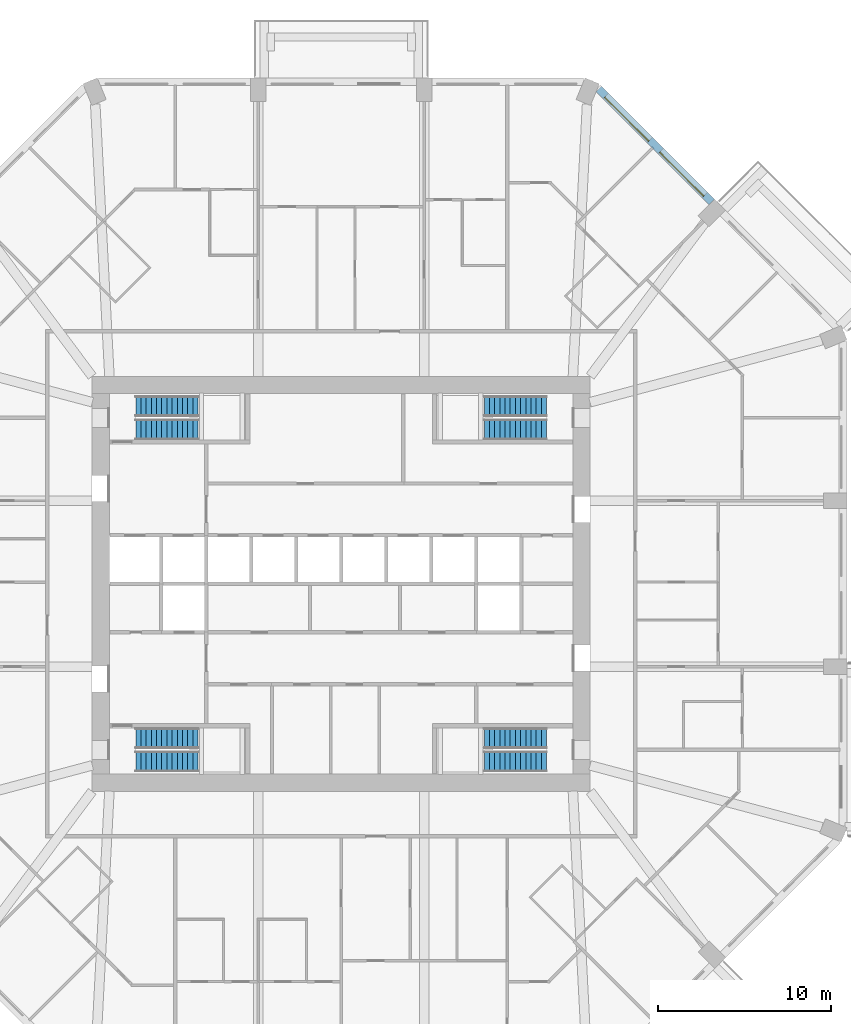
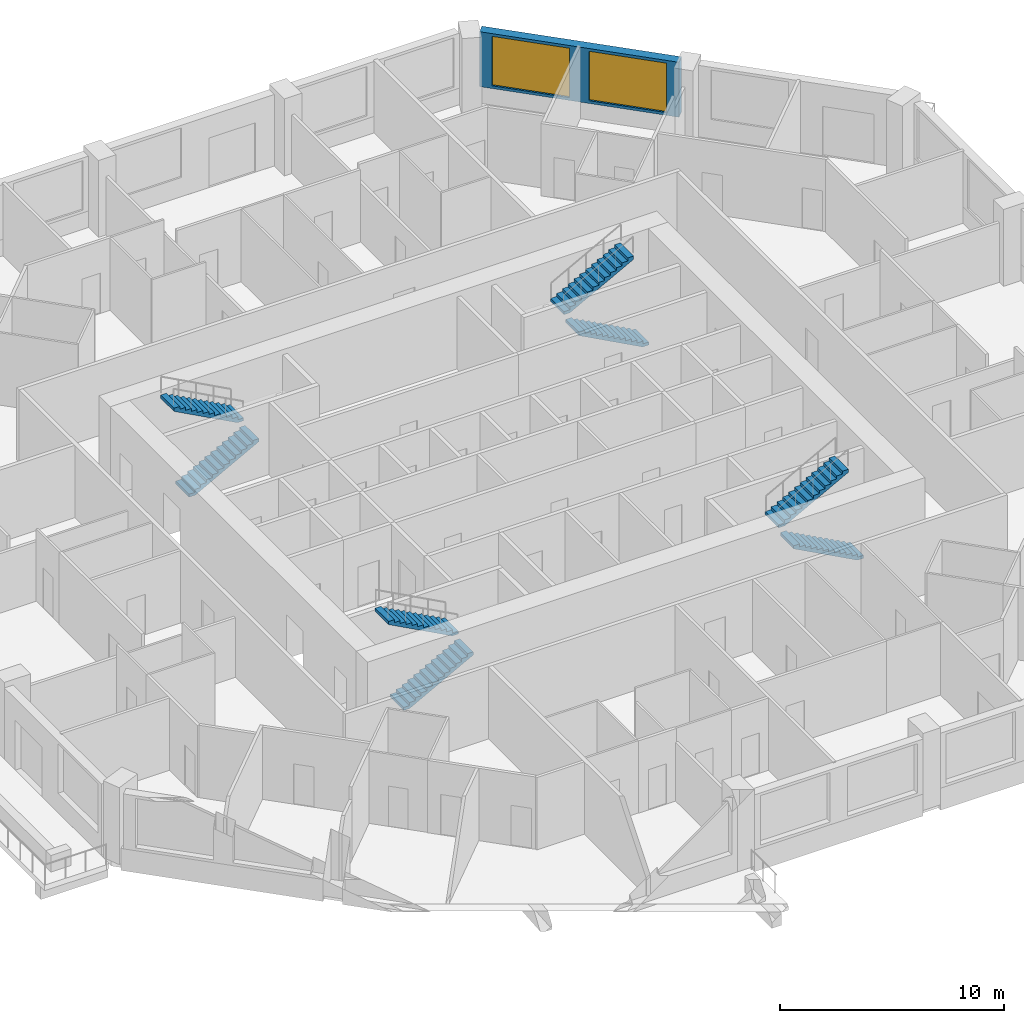
# One storey, part 11 of 13: 8 stair flights, 2 windows, 1 wall, 2 openings, 4 elements without a shape of their own.
"""IFC4 building model written with IfcOpenShell, lengths in metres."""

from ifc_helpers import new_model, si_unit, direction, frame, frame_2d, origin, place, context, subcontext, project, spatial, polyline, rectangle, outline, extrude, material, layer, layer_set, type_object, element, fill, aggregate, save


model = new_model("IFC4")

# Units and contexts
model_context = context("Model", 3, precision=1e-05, world=origin(), true_north=direction((0.0, 1.0)))
body_context = subcontext(model_context, "Body", "Model", "MODEL_VIEW")
ifc_project = project(units=[si_unit("LENGTHUNIT", "METRE"), si_unit("AREAUNIT", "SQUARE_METRE"), si_unit("VOLUMEUNIT", "CUBIC_METRE"), si_unit("PLANEANGLEUNIT", "RADIAN"), si_unit("MASSUNIT", "GRAM", prefix="KILO")], contexts=[model_context])

# Site, building, storey
site_placement = place(None, origin())
site = spatial("IfcSite", under=ifc_project, at=site_placement, CompositionType="ELEMENT")
building_placement = place(site_placement, origin())
building = spatial("IfcBuilding", under=site, at=building_placement, Name="Msitu Wima Residences", CompositionType="ELEMENT")
storey_placement = place(building_placement, frame((0.0, 0.0, 50.699951171875)))
storey = spatial("IfcBuildingStorey", under=building, at=storey_placement, Name="L11", CompositionType="ELEMENT", Elevation=50.699951171875)

# Wall, openings, windows
ifc_material_1 = material(Name="Brick (red buff mix)", Category="masonry")
ifc_layer = layer(ifc_material_1, 0.449951171875)
ifc_layer_set = layer_set([ifc_layer], Name="Brick (red buff mix)")
wall_type = type_object("IfcWallType", Name="Brick infill wall BW450", PredefinedType="SOLIDWALL", material=ifc_layer_set)
wall_placement = place(storey_placement, frame((21.44091796875, 22.077392578125, 0.900146484375), z_axis=(0.0, 0.0, 1.0), x_axis=(-0.707106781187, 0.707106781187, 0.0)))
wall = element("IfcWall", 1, at=wall_placement, inside=storey, type_object=wall_type, Name="Brick infill wall L11 NE1", PredefinedType="SOLIDWALL", context=body_context, shape_type="SweptSolid", body=[
    extrude(rectangle(XDim=9.2451171875, YDim=0.449951171875, at=frame_2d((4.62255859375, 0.0))), origin(), (0.0, 0.0, 1.0), 3.0),
])
opening_1_placement = place(wall_placement, frame((0.572509765625, 0.0, 0.14990234375)))
opening_1 = element("IfcOpeningElement", 2, at=opening_1_placement, cuts=wall, Name="Opening W11-12.012", PredefinedType="OPENING", context=body_context, shape_type="SweptSolid", body=[
    extrude(rectangle(XDim=3.60009765625, YDim=2.699951171875, at=frame_2d((1.800048828125, 1.35009765625))), frame((0.0, 0.23486328125, 0.0), z_axis=(0.0, -1.0, 0.0), x_axis=(1.0, 0.0, 0.0)), (0.0, 0.0, 1.0), 0.469970703125),
])
opening_2_placement = place(wall_placement, frame((5.072509765625, 0.0, 0.14990234375)))
opening_2 = element("IfcOpeningElement", 3, at=opening_2_placement, cuts=wall, Name="Opening W11-12.013", PredefinedType="OPENING", context=body_context, shape_type="SweptSolid", body=[
    extrude(rectangle(XDim=3.60009765625, YDim=2.699951171875, at=frame_2d((1.800048828125, 1.35009765625))), frame((0.0, 0.23486328125, 0.0), z_axis=(0.0, -1.0, 0.0), x_axis=(1.0, 0.0, 0.0)), (0.0, 0.0, 1.0), 0.469970703125),
])
ifc_material_2 = material(Name="Anodised aluminium, bronze finish, clear low-emissivity double glazing", Category="aluminium")
window_type = type_object("IfcWindowType", Name="Window W3600x2700", PartitioningType="DOUBLE_PANEL_VERTICAL", PredefinedType="WINDOW", material=ifc_material_2)
window_1_placement = place(opening_1_placement, origin())
window_1 = element("IfcWindow", 4, at=window_1_placement, inside=storey, type_object=window_type, Name="Window L11 NE1.1", OverallHeight=2.699951171875, OverallWidth=3.60009765625, PartitioningType="SINGLE_PANEL", PredefinedType="WINDOW", context=body_context, shape_type="SweptSolid", body=[
    extrude(rectangle(XDim=3.60009765625, YDim=2.699951171875, at=frame_2d((1.800048828125, 1.35009765625))), frame((0.0, 0.135009765625, 0.0), z_axis=(0.0, -1.0, 0.0), x_axis=(1.0, 0.0, 0.0)), (0.0, 0.0, 1.0), 0.06005859375),
])
fill(opening_1, window_1)
window_2_placement = place(opening_2_placement, origin())
window_2 = element("IfcWindow", 5, at=window_2_placement, inside=storey, type_object=window_type, Name="Window L11 NE1.2", OverallHeight=2.699951171875, OverallWidth=3.60009765625, PartitioningType="SINGLE_PANEL", PredefinedType="WINDOW", context=body_context, shape_type="SweptSolid", body=[
    extrude(rectangle(XDim=3.60009765625, YDim=2.699951171875, at=frame_2d((1.800048828125, 1.35009765625))), frame((0.0, 0.135009765625, 0.0), z_axis=(0.0, -1.0, 0.0), x_axis=(1.0, 0.0, 0.0)), (0.0, 0.0, 1.0), 0.06005859375),
])
fill(opening_2, window_2)

# Stair, stair flights
ifc_material_3 = material(Name="Concrete C40/50", Category="concrete")
stair_type = type_object("IfcStairType", Name="Exit stair ES1615-120", PredefinedType="HALF_TURN_STAIR", material=ifc_material_3)
stair_1_placement = place(storey_placement, origin())
stair_1 = element("IfcStair", 6, at=stair_1_placement, inside=storey, type_object=stair_type, Name="Exit stair 1", PredefinedType="HALF_TURN_STAIR")
stair_flight_type = type_object("IfcStairFlightType", Name="Exit stair flight ES1615-120", PredefinedType="STRAIGHT", material=ifc_material_3)
stair_flight_1_placement = place(storey_placement, frame((-11.875, 8.925048828125, 0.0), z_axis=(0.0, 0.0, 1.0), x_axis=(1.0, 0.0, 0.0)))
stair_flight_1 = element("IfcStairFlight", 7, at=stair_flight_1_placement, type_object=stair_flight_type, Name="S1 flight 1", NumberOfRisers=13, NumberOfTreads=12, PredefinedType="STRAIGHT", RiserHeight=0.161538462, TreadLength=0.3, context=body_context, shape_type="SweptSolid", body=[
    extrude(outline(polyline([(0.0, 0.0), (0.0, 0.16162109375), (0.300048828125, 0.16162109375), (0.300048828125, 0.322998046875), (0.60009765625, 0.322998046875), (0.60009765625, 0.484619140625), (0.89990234375, 0.484619140625), (0.89990234375, 0.646240234375), (1.199951171875, 0.646240234375), (1.199951171875, 0.8076171875), (1.5, 0.8076171875), (1.5, 0.96923828125), (1.800048828125, 0.96923828125), (1.800048828125, 1.130859375), (2.10009765625, 1.130859375), (2.10009765625, 1.292236328125), (2.39990234375, 1.292236328125), (2.39990234375, 1.453857421875), (2.699951171875, 1.453857421875), (2.699951171875, 1.615478515625), (3.0, 1.615478515625), (3.0, 1.77685546875), (3.300048828125, 1.77685546875), (3.300048828125, 1.9384765625), (3.60009765625, 1.9384765625), (3.60009765625, 2.10009765625), (3.60009765625, 1.768310546875), (0.316162109375, 0.0), (0.0, 0.0)])), frame((0.0, 0.60009765625, 0.0), z_axis=(0.0, -1.0, 0.0), x_axis=(1.0, 0.0, 0.0)), (0.0, 0.0, 1.0), 1.199951171875),
])
stair_flight_2_placement = place(storey_placement, frame((-8.27490234375, 10.27490234375, 2.10009765625), z_axis=(0.0, 0.0, 1.0), x_axis=(-1.0, 0.0, 0.0)))
stair_flight_2 = element("IfcStairFlight", 8, at=stair_flight_2_placement, type_object=stair_flight_type, Name="S1 flight 2", NumberOfRisers=13, NumberOfTreads=12, PredefinedType="STRAIGHT", RiserHeight=0.161538462, TreadLength=0.3, context=body_context, shape_type="SweptSolid", body=[
    extrude(outline(polyline([(0.0, 0.0), (0.0, 0.16162109375), (0.300048828125, 0.16162109375), (0.300048828125, 0.322998046875), (0.60009765625, 0.322998046875), (0.60009765625, 0.484619140625), (0.89990234375, 0.484619140625), (0.89990234375, 0.646240234375), (1.199951171875, 0.646240234375), (1.199951171875, 0.8076171875), (1.5, 0.8076171875), (1.5, 0.96923828125), (1.800048828125, 0.96923828125), (1.800048828125, 1.130859375), (2.10009765625, 1.130859375), (2.10009765625, 1.292236328125), (2.39990234375, 1.292236328125), (2.39990234375, 1.453857421875), (2.699951171875, 1.453857421875), (2.699951171875, 1.615478515625), (3.0, 1.615478515625), (3.0, 1.77685546875), (3.300048828125, 1.77685546875), (3.300048828125, 1.9384765625), (3.60009765625, 1.9384765625), (3.60009765625, 2.10009765625), (3.60009765625, 1.768310546875), (0.316162109375, 0.0), (0.0, 0.0)])), frame((0.0, 0.60009765625, 0.0), z_axis=(0.0, -1.0, 0.0), x_axis=(1.0, 0.0, 0.0)), (0.0, 0.0, 1.0), 1.199951171875),
])
aggregate(stair_1, [stair_flight_1, stair_flight_2])

stair_2_placement = place(storey_placement, origin())
stair_2 = element("IfcStair", 9, at=stair_2_placement, inside=storey, type_object=stair_type, Name="Exit stair 2", PredefinedType="HALF_TURN_STAIR")
stair_flight_3_placement = place(storey_placement, frame((-11.875, -10.27490234375, 0.0), z_axis=(0.0, 0.0, 1.0), x_axis=(1.0, 0.0, 0.0)))
stair_flight_3 = element("IfcStairFlight", 10, at=stair_flight_3_placement, type_object=stair_flight_type, Name="S2 flight 1", NumberOfRisers=13, NumberOfTreads=12, PredefinedType="STRAIGHT", RiserHeight=0.161538462, TreadLength=0.3, context=body_context, shape_type="SweptSolid", body=[
    extrude(outline(polyline([(0.0, 0.0), (0.0, 0.16162109375), (0.300048828125, 0.16162109375), (0.300048828125, 0.322998046875), (0.60009765625, 0.322998046875), (0.60009765625, 0.484619140625), (0.89990234375, 0.484619140625), (0.89990234375, 0.646240234375), (1.199951171875, 0.646240234375), (1.199951171875, 0.8076171875), (1.5, 0.8076171875), (1.5, 0.96923828125), (1.800048828125, 0.96923828125), (1.800048828125, 1.130859375), (2.10009765625, 1.130859375), (2.10009765625, 1.292236328125), (2.39990234375, 1.292236328125), (2.39990234375, 1.453857421875), (2.699951171875, 1.453857421875), (2.699951171875, 1.615478515625), (3.0, 1.615478515625), (3.0, 1.77685546875), (3.300048828125, 1.77685546875), (3.300048828125, 1.9384765625), (3.60009765625, 1.9384765625), (3.60009765625, 2.10009765625), (3.60009765625, 1.768310546875), (0.316162109375, 0.0), (0.0, 0.0)])), frame((0.0, 0.60009765625, 0.0), z_axis=(0.0, -1.0, 0.0), x_axis=(1.0, 0.0, 0.0)), (0.0, 0.0, 1.0), 1.199951171875),
])
stair_flight_4_placement = place(storey_placement, frame((-8.27490234375, -8.925048828125, 2.10009765625), z_axis=(0.0, 0.0, 1.0), x_axis=(-1.0, 0.0, 0.0)))
stair_flight_4 = element("IfcStairFlight", 11, at=stair_flight_4_placement, type_object=stair_flight_type, Name="S2 flight 2", NumberOfRisers=13, NumberOfTreads=12, PredefinedType="STRAIGHT", RiserHeight=0.161538462, TreadLength=0.3, context=body_context, shape_type="SweptSolid", body=[
    extrude(outline(polyline([(0.0, 0.0), (0.0, 0.16162109375), (0.300048828125, 0.16162109375), (0.300048828125, 0.322998046875), (0.60009765625, 0.322998046875), (0.60009765625, 0.484619140625), (0.89990234375, 0.484619140625), (0.89990234375, 0.646240234375), (1.199951171875, 0.646240234375), (1.199951171875, 0.8076171875), (1.5, 0.8076171875), (1.5, 0.96923828125), (1.800048828125, 0.96923828125), (1.800048828125, 1.130859375), (2.10009765625, 1.130859375), (2.10009765625, 1.292236328125), (2.39990234375, 1.292236328125), (2.39990234375, 1.453857421875), (2.699951171875, 1.453857421875), (2.699951171875, 1.615478515625), (3.0, 1.615478515625), (3.0, 1.77685546875), (3.300048828125, 1.77685546875), (3.300048828125, 1.9384765625), (3.60009765625, 1.9384765625), (3.60009765625, 2.10009765625), (3.60009765625, 1.768310546875), (0.316162109375, 0.0), (0.0, 0.0)])), frame((0.0, 0.60009765625, 0.0), z_axis=(0.0, -1.0, 0.0), x_axis=(1.0, 0.0, 0.0)), (0.0, 0.0, 1.0), 1.199951171875),
])
aggregate(stair_2, [stair_flight_3, stair_flight_4])

stair_3_placement = place(storey_placement, origin())
stair_3 = element("IfcStair", 12, at=stair_3_placement, inside=storey, type_object=stair_type, Name="Exit stair 3", PredefinedType="HALF_TURN_STAIR")
stair_flight_5_placement = place(storey_placement, frame((11.875, 8.925048828125, 0.0), z_axis=(0.0, 0.0, 1.0), x_axis=(-1.0, 0.0, 0.0)))
stair_flight_5 = element("IfcStairFlight", 13, at=stair_flight_5_placement, type_object=stair_flight_type, Name="S3 flight 1", NumberOfRisers=13, NumberOfTreads=12, PredefinedType="STRAIGHT", RiserHeight=0.161538462, TreadLength=0.3, context=body_context, shape_type="SweptSolid", body=[
    extrude(outline(polyline([(0.0, 0.0), (0.0, 0.16162109375), (0.300048828125, 0.16162109375), (0.300048828125, 0.322998046875), (0.60009765625, 0.322998046875), (0.60009765625, 0.484619140625), (0.89990234375, 0.484619140625), (0.89990234375, 0.646240234375), (1.199951171875, 0.646240234375), (1.199951171875, 0.8076171875), (1.5, 0.8076171875), (1.5, 0.96923828125), (1.800048828125, 0.96923828125), (1.800048828125, 1.130859375), (2.10009765625, 1.130859375), (2.10009765625, 1.292236328125), (2.39990234375, 1.292236328125), (2.39990234375, 1.453857421875), (2.699951171875, 1.453857421875), (2.699951171875, 1.615478515625), (3.0, 1.615478515625), (3.0, 1.77685546875), (3.300048828125, 1.77685546875), (3.300048828125, 1.9384765625), (3.60009765625, 1.9384765625), (3.60009765625, 2.10009765625), (3.60009765625, 1.768310546875), (0.316162109375, 0.0), (0.0, 0.0)])), frame((0.0, 0.60009765625, 0.0), z_axis=(0.0, -1.0, 0.0), x_axis=(1.0, 0.0, 0.0)), (0.0, 0.0, 1.0), 1.199951171875),
])
stair_flight_6_placement = place(storey_placement, frame((8.27490234375, 10.27490234375, 2.10009765625), z_axis=(0.0, 0.0, 1.0), x_axis=(1.0, 0.0, 0.0)))
stair_flight_6 = element("IfcStairFlight", 14, at=stair_flight_6_placement, type_object=stair_flight_type, Name="S3 flight 2", NumberOfRisers=13, NumberOfTreads=12, PredefinedType="STRAIGHT", RiserHeight=0.161538462, TreadLength=0.3, context=body_context, shape_type="SweptSolid", body=[
    extrude(outline(polyline([(0.0, 0.0), (0.0, 0.16162109375), (0.300048828125, 0.16162109375), (0.300048828125, 0.322998046875), (0.60009765625, 0.322998046875), (0.60009765625, 0.484619140625), (0.89990234375, 0.484619140625), (0.89990234375, 0.646240234375), (1.199951171875, 0.646240234375), (1.199951171875, 0.8076171875), (1.5, 0.8076171875), (1.5, 0.96923828125), (1.800048828125, 0.96923828125), (1.800048828125, 1.130859375), (2.10009765625, 1.130859375), (2.10009765625, 1.292236328125), (2.39990234375, 1.292236328125), (2.39990234375, 1.453857421875), (2.699951171875, 1.453857421875), (2.699951171875, 1.615478515625), (3.0, 1.615478515625), (3.0, 1.77685546875), (3.300048828125, 1.77685546875), (3.300048828125, 1.9384765625), (3.60009765625, 1.9384765625), (3.60009765625, 2.10009765625), (3.60009765625, 1.768310546875), (0.316162109375, 0.0), (0.0, 0.0)])), frame((0.0, 0.60009765625, 0.0), z_axis=(0.0, -1.0, 0.0), x_axis=(1.0, 0.0, 0.0)), (0.0, 0.0, 1.0), 1.199951171875),
])
aggregate(stair_3, [stair_flight_5, stair_flight_6])

stair_4_placement = place(storey_placement, origin())
stair_4 = element("IfcStair", 15, at=stair_4_placement, inside=storey, type_object=stair_type, Name="Exit stair 4", PredefinedType="HALF_TURN_STAIR")
stair_flight_7_placement = place(storey_placement, frame((11.875, -10.27490234375, 0.0), z_axis=(0.0, 0.0, 1.0), x_axis=(-1.0, 0.0, 0.0)))
stair_flight_7 = element("IfcStairFlight", 16, at=stair_flight_7_placement, type_object=stair_flight_type, Name="S4 flight 1", NumberOfRisers=13, NumberOfTreads=12, PredefinedType="STRAIGHT", RiserHeight=0.161538462, TreadLength=0.3, context=body_context, shape_type="SweptSolid", body=[
    extrude(outline(polyline([(0.0, 0.0), (0.0, 0.16162109375), (0.300048828125, 0.16162109375), (0.300048828125, 0.322998046875), (0.60009765625, 0.322998046875), (0.60009765625, 0.484619140625), (0.89990234375, 0.484619140625), (0.89990234375, 0.646240234375), (1.199951171875, 0.646240234375), (1.199951171875, 0.8076171875), (1.5, 0.8076171875), (1.5, 0.96923828125), (1.800048828125, 0.96923828125), (1.800048828125, 1.130859375), (2.10009765625, 1.130859375), (2.10009765625, 1.292236328125), (2.39990234375, 1.292236328125), (2.39990234375, 1.453857421875), (2.699951171875, 1.453857421875), (2.699951171875, 1.615478515625), (3.0, 1.615478515625), (3.0, 1.77685546875), (3.300048828125, 1.77685546875), (3.300048828125, 1.9384765625), (3.60009765625, 1.9384765625), (3.60009765625, 2.10009765625), (3.60009765625, 1.768310546875), (0.316162109375, 0.0), (0.0, 0.0)])), frame((0.0, 0.60009765625, 0.0), z_axis=(0.0, -1.0, 0.0), x_axis=(1.0, 0.0, 0.0)), (0.0, 0.0, 1.0), 1.199951171875),
])
stair_flight_8_placement = place(storey_placement, frame((8.27490234375, -8.925048828125, 2.10009765625), z_axis=(0.0, 0.0, 1.0), x_axis=(1.0, 0.0, 0.0)))
stair_flight_8 = element("IfcStairFlight", 17, at=stair_flight_8_placement, type_object=stair_flight_type, Name="S4 flight 2", NumberOfRisers=13, NumberOfTreads=12, PredefinedType="STRAIGHT", RiserHeight=0.161538462, TreadLength=0.3, context=body_context, shape_type="SweptSolid", body=[
    extrude(outline(polyline([(0.0, 0.0), (0.0, 0.16162109375), (0.300048828125, 0.16162109375), (0.300048828125, 0.322998046875), (0.60009765625, 0.322998046875), (0.60009765625, 0.484619140625), (0.89990234375, 0.484619140625), (0.89990234375, 0.646240234375), (1.199951171875, 0.646240234375), (1.199951171875, 0.8076171875), (1.5, 0.8076171875), (1.5, 0.96923828125), (1.800048828125, 0.96923828125), (1.800048828125, 1.130859375), (2.10009765625, 1.130859375), (2.10009765625, 1.292236328125), (2.39990234375, 1.292236328125), (2.39990234375, 1.453857421875), (2.699951171875, 1.453857421875), (2.699951171875, 1.615478515625), (3.0, 1.615478515625), (3.0, 1.77685546875), (3.300048828125, 1.77685546875), (3.300048828125, 1.9384765625), (3.60009765625, 1.9384765625), (3.60009765625, 2.10009765625), (3.60009765625, 1.768310546875), (0.316162109375, 0.0), (0.0, 0.0)])), frame((0.0, 0.60009765625, 0.0), z_axis=(0.0, -1.0, 0.0), x_axis=(1.0, 0.0, 0.0)), (0.0, 0.0, 1.0), 1.199951171875),
])
aggregate(stair_4, [stair_flight_7, stair_flight_8])

save(model, "model.ifc")
